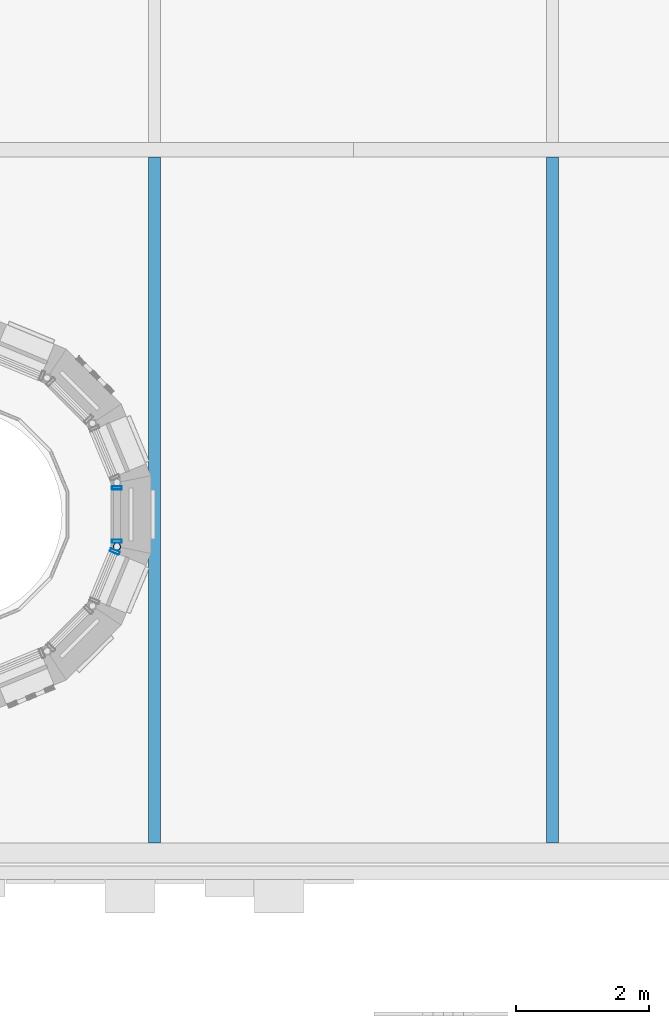
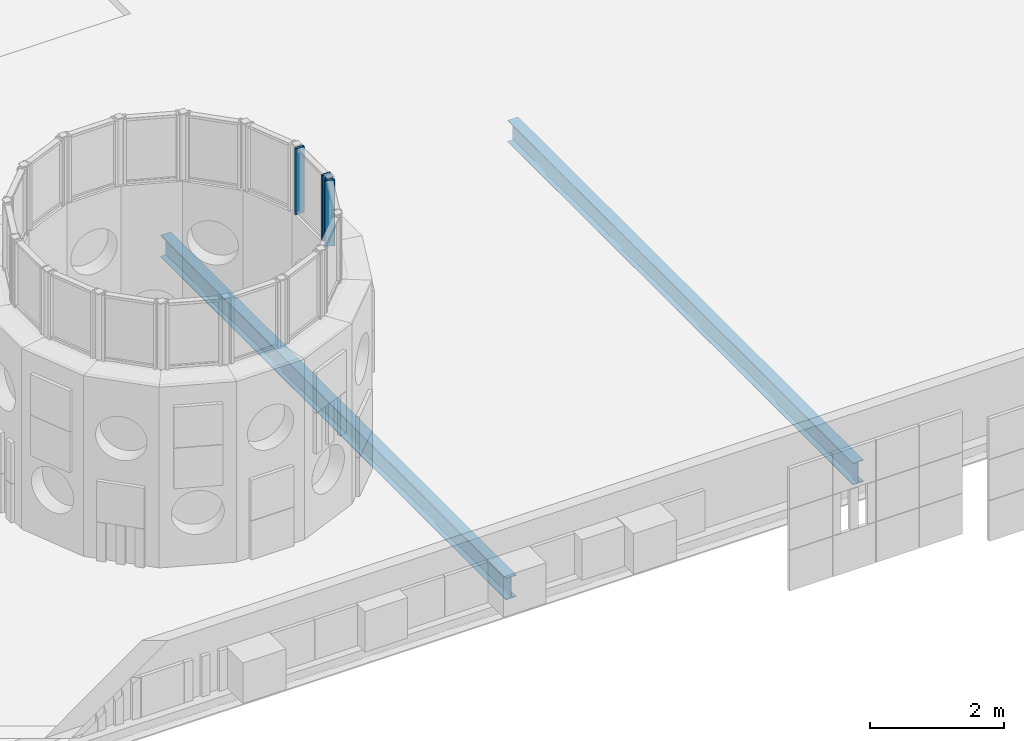
# One storey, part 6 of 98: 6 members, 2 elements without a shape of their own.
"""IFC4 building model written with IfcOpenShell, lengths in metres."""

from ifc_helpers import new_model, si_unit, direction, frame, origin, origin_2d, place, context, subcontext, project, spatial, hollow_rectangle, hollow_circle, i_section, extrude, material, material_profile, profile_set, type_object, element, aggregate, save


model = new_model("IFC4")

# Units and contexts
model_context = context("Model", 3, precision=1e-05, world=origin(), true_north=direction((0.0, 1.0)))
body_context = subcontext(model_context, "Body", "Model", "MODEL_VIEW")
ifc_project = project(units=[si_unit("LENGTHUNIT", "METRE"), si_unit("AREAUNIT", "SQUARE_METRE"), si_unit("VOLUMEUNIT", "CUBIC_METRE"), si_unit("PLANEANGLEUNIT", "RADIAN"), si_unit("MASSUNIT", "GRAM", prefix="KILO")], contexts=[model_context])

# Site, building, storey
site_placement = place(None, origin())
site = spatial("IfcSite", under=ifc_project, at=site_placement, CompositionType="ELEMENT")
building_placement = place(site_placement, origin())
building = spatial("IfcBuilding", under=site, at=building_placement, Name="Sun Court Science Centre", CompositionType="ELEMENT")
storey_placement = place(building_placement, frame((0.0, 0.0, 15.75)))
storey = spatial("IfcBuildingStorey", under=building, at=storey_placement, Name="L03", CompositionType="ELEMENT", Elevation=15.75)

# Curtain wall, member
ifc_material_1 = material(Name="Aluminium EN AW-6063 T6", Category="aluminium")
curtain_wall_type = type_object("IfcCurtainWallType", Name="Lantern clerestory curtain wall 1500", PredefinedType="NOTDEFINED", material=ifc_material_1)
curtain_wall_1_placement = place(storey_placement, origin())
curtain_wall_1 = element("IfcCurtainWall", 1, at=curtain_wall_1_placement, inside=storey, type_object=curtain_wall_type, Name="Curtain wall V2 C3 clerestory L03 15", PredefinedType="NOTDEFINED")
ifc_material_2 = material(Name="Aluminium EN AW-6063 T6", Category="aluminium")
ifc_material_profile_1 = material_profile(ifc_material_2, hollow_rectangle(XDim=0.050048828125, YDim=0.14990234375, WallThickness=0.00390625, InnerFilletRadius=0.00390625, OuterFilletRadius=0.006103515625, at=origin_2d()), Name="AL 50x150x4")
ifc_profile_set_1 = profile_set([ifc_material_profile_1], Name="Aluminium EN AW-6063 T6")
member_type_1 = type_object("IfcMemberType", Name="Curtain wall mullion AL 50x150", PredefinedType="MULLION", material=ifc_profile_set_1)
member_1_placement = place(storey_placement, frame((32.399169921875, 10.940673828125, 3.449951171875), z_axis=(0.0, 0.0, 1.0), x_axis=(-0.382683432365, -0.923879532511, 0.0)))
member_1 = element("IfcMember", 2, at=member_1_placement, type_object=member_type_1, Name="CW4-47 mullion 1", PredefinedType="MULLION", context=body_context, shape_type="SweptSolid", body=[
    extrude(hollow_rectangle(XDim=0.050048828125, YDim=0.14990234375, WallThickness=0.00390625, InnerFilletRadius=0.00390625, OuterFilletRadius=0.006103515625, at=origin_2d()), origin(), (0.0, 0.0, 1.0), 1.199951171875),
])
aggregate(curtain_wall_1, [member_1])

# Curtain wall, members
curtain_wall_2_placement = place(storey_placement, origin())
curtain_wall_2 = element("IfcCurtainWall", 3, at=curtain_wall_2_placement, inside=storey, type_object=curtain_wall_type, Name="Curtain wall V2 C3 clerestory L03 16", PredefinedType="NOTDEFINED")
member_2_placement = place(storey_placement, frame((32.4306640625, 11.0986328125, 3.449951171875), z_axis=(0.0, 0.0, 1.0), x_axis=(0.0, -1.0, 0.0)))
member_2 = element("IfcMember", 4, at=member_2_placement, type_object=member_type_1, Name="CW4-48 mullion 2", PredefinedType="MULLION", context=body_context, shape_type="SweptSolid", body=[
    extrude(hollow_rectangle(XDim=0.050048828125, YDim=0.14990234375, WallThickness=0.00390625, InnerFilletRadius=0.00390625, OuterFilletRadius=0.006103515625, at=origin_2d()), origin(), (0.0, 0.0, 1.0), 1.199951171875),
])
member_3_placement = place(storey_placement, frame((32.4306640625, 11.9013671875, 3.449951171875), z_axis=(0.0, 0.0, 1.0), x_axis=(0.0, -1.0, 0.0)))
member_3 = element("IfcMember", 5, at=member_3_placement, type_object=member_type_1, Name="CW4-48 mullion 1", PredefinedType="MULLION", context=body_context, shape_type="SweptSolid", body=[
    extrude(hollow_rectangle(XDim=0.050048828125, YDim=0.14990234375, WallThickness=0.00390625, InnerFilletRadius=0.00390625, OuterFilletRadius=0.006103515625, at=origin_2d()), origin(), (0.0, 0.0, 1.0), 1.199951171875),
])
aggregate(curtain_wall_2, [member_2, member_3])

# Members
ifc_material_3 = material(Name="Steel S355", Category="steel")
ifc_material_profile_2 = material_profile(ifc_material_3, hollow_circle(Radius=0.05712890625, WallThickness=0.00634765625, at=origin_2d()), Name="CHS 114.3x6.3")
ifc_profile_set_2 = profile_set([ifc_material_profile_2], Name="Steel S355")
member_type_2 = type_object("IfcMemberType", Name="Lantern post CHS 114.3x6.3", PredefinedType="POST", material=ifc_profile_set_2)
member_4_placement = place(storey_placement, frame((32.4306640625, 11.0166015625, 3.449951171875), z_axis=(0.0, 0.0, 1.0), x_axis=(1.0, 0.0, 0.0)))
element("IfcMember", 6, at=member_4_placement, inside=storey, type_object=member_type_2, Name="Cone 3 clerestory post 16", PredefinedType="POST", context=body_context, shape_type="SweptSolid", body=[
    extrude(hollow_circle(Radius=0.05712890625, WallThickness=0.00634765625, at=origin_2d()), origin(), (0.0, 0.0, 1.0), 1.199951171875),
])
ifc_material_4 = material(Name="Steel S275", Category="steel")
ifc_material_profile_3 = material_profile(ifc_material_4, i_section(OverallWidth=0.179931640625, OverallDepth=0.39990234375, WebThickness=0.008544921875, FlangeThickness=0.013427734375, FilletRadius=0.02099609375, at=origin_2d()), Name="IPE 400")
ifc_profile_set_3 = profile_set([ifc_material_profile_3], Name="Steel S275")
member_type_3 = type_object("IfcMemberType", Name="Roof purlin IPE 400", PredefinedType="PURLIN", material=ifc_profile_set_3)
for number, where, z_axis, x_axis, name in (
    (7, (33.0, 6.550048828125, -0.35009765625), (0.0, 1.0, 0.0), (-1.0, 0.0, 0.0), "Roof purlin"),
    (8, (39.0, 6.550048828125, -0.35009765625), (0.0, 1.0, 0.0), (-1.0, 0.0, 0.0), "Roof purlin"),
):
    element("IfcMember", number, at=place(storey_placement, frame(where, z_axis=z_axis, x_axis=x_axis)), inside=storey, type_object=member_type_3, Name=name, PredefinedType="PURLIN", context=body_context, shape_type="SweptSolid", body=[
        extrude(i_section(OverallWidth=0.179931640625, OverallDepth=0.39990234375, WebThickness=0.008544921875, FlangeThickness=0.013427734375, FilletRadius=0.02099609375, at=origin_2d()), origin(), (0.0, 0.0, 1.0), 10.33984375),
    ])

save(model, "model.ifc")
